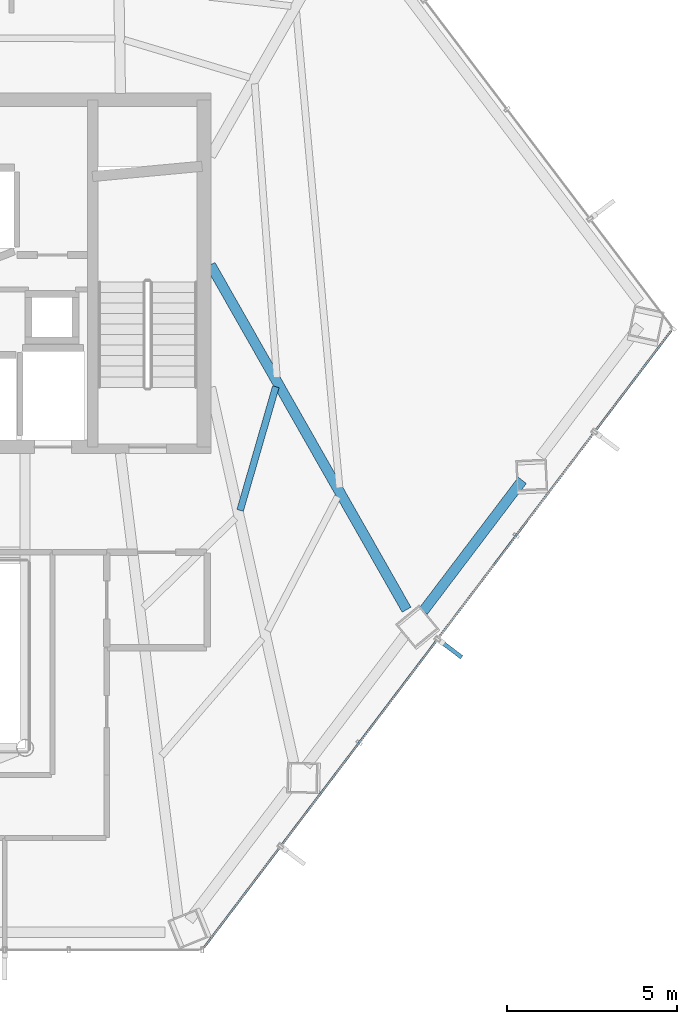
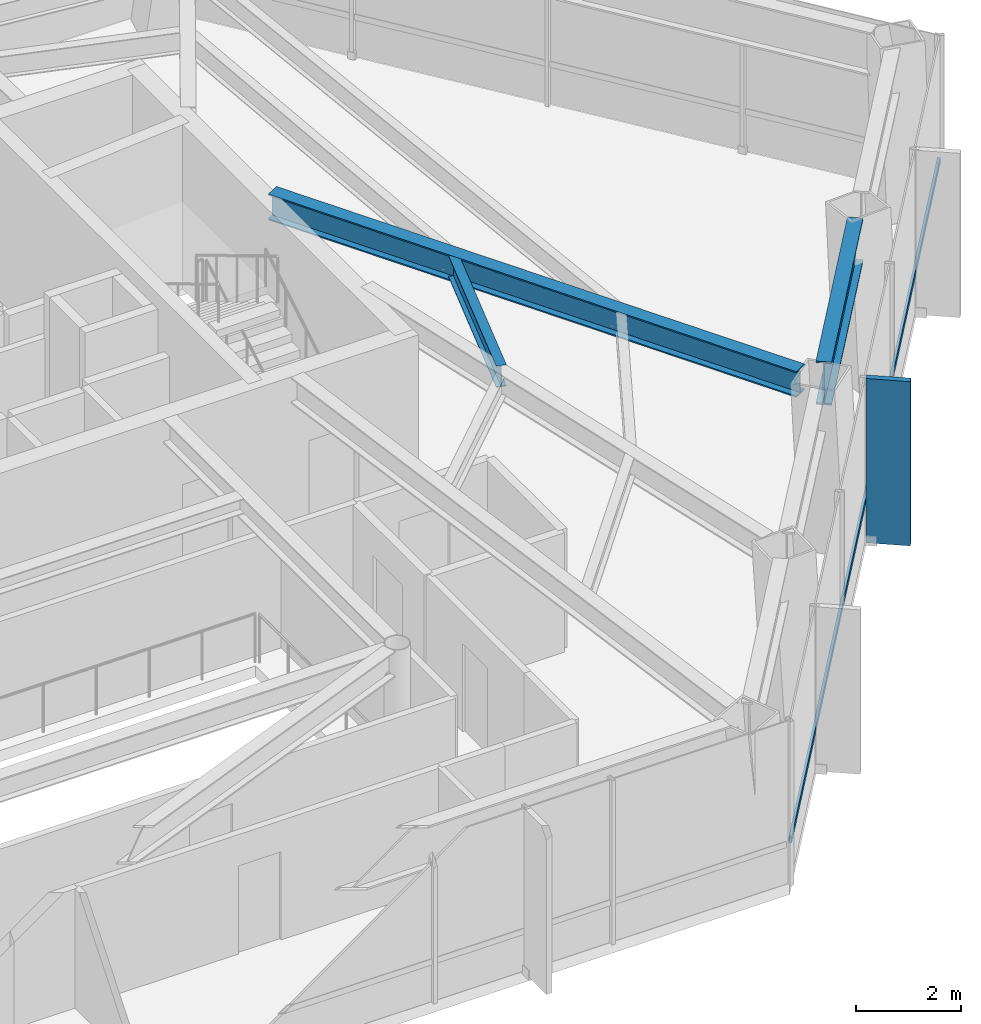
# One storey, part 17 of 26: 3 beams, 2 members, 1 element without a shape of its own.
"""IFC4 building model written with IfcOpenShell, lengths in metres."""

import ifcopenshell
import ifcopenshell.guid

model = None  # the IFC model being written
_history = None  # IfcOwnerHistory: only IFC2X3 demands one
_inside = {}  # id of a spatial element -> (the spatial element, [elements in it])
_under = {}  # id of a project, library or spatial element -> (it, [spatial elements below it])
_declared = {}  # id of a project -> (the project, [libraries it declares])
_typed = {}  # id of a type object -> (the type object, [elements of that type])
_made_of = {}  # id of a material, layer set ... -> (it, [elements and type objects made of it])


def new_model(schema):
    """Start an empty IFC model of exactly this schema.

    Asked for "IFC4X3", IfcOpenShell would pick the latest addendum, in which some entities
    have other attributes; the version numbers below select the first issue.
    IFC2X3 requires an IfcOwnerHistory on every rooted entity: one is made here for all.
    """
    global model, _history
    if schema == "IFC4X3":
        model = ifcopenshell.file(schema_version=(4, 3, 0, 0))
    else:
        model = ifcopenshell.file(schema=schema)
    _inside.clear()
    _under.clear()
    _declared.clear()
    _typed.clear()
    _made_of.clear()
    _history = None
    if model.schema == "IFC2X3":
        org = make("IfcOrganization", Name="unknown")
        user = make(
            "IfcPersonAndOrganization",
            ThePerson=make("IfcPerson", FamilyName="unknown"),
            TheOrganization=org,
        )
        app = make(
            "IfcApplication",
            ApplicationDeveloper=org,
            Version="unknown",
            ApplicationFullName="unknown",
            ApplicationIdentifier="unknown",
        )
        _history = make(
            "IfcOwnerHistory",
            OwningUser=user,
            OwningApplication=app,
            ChangeAction="ADDED",
            CreationDate=0,
        )
    return model


def make(cls, **values):
    """One entity of the class cls with the attributes given. An attribute that is None is left unset."""
    return model.create_entity(
        cls, **{name: value for name, value in values.items() if value is not None}
    )


def rooted(cls, **values):
    """An entity with a GlobalId (a new one), such as an element, a storey or a relation."""
    return make(cls, GlobalId=ifcopenshell.guid.new(), OwnerHistory=_history, **values)


def si_unit(unit_type, name, prefix=None):
    """IfcSIUnit, for example si_unit("LENGTHUNIT", "METRE", prefix="MILLI")."""
    return make("IfcSIUnit", UnitType=unit_type, Prefix=prefix, Name=name)


def assignment(units):
    """IfcUnitAssignment: the units of a project."""
    return None if units is None else make("IfcUnitAssignment", Units=units)


def point(xyz):
    """IfcCartesianPoint."""
    return None if xyz is None else make("IfcCartesianPoint", Coordinates=xyz)


def direction(xyz):
    """IfcDirection."""
    return None if xyz is None else make("IfcDirection", DirectionRatios=xyz)


def frame(location, z_axis=None, x_axis=None):
    """IfcAxis2Placement3D, a coordinate frame: its origin and axes. An axis left out is left unset."""
    return make(
        "IfcAxis2Placement3D",
        Location=point(location),
        Axis=direction(z_axis),
        RefDirection=direction(x_axis),
    )


def frame_2d(location, x_axis=None):
    """IfcAxis2Placement2D, a coordinate frame in the plane: its origin and x axis."""
    return make(
        "IfcAxis2Placement2D", Location=point(location), RefDirection=direction(x_axis)
    )


def origin():
    """The frame at (0, 0, 0) with its axes left unset."""
    return frame((0.0, 0.0, 0.0))


def origin_2d():
    """The frame at (0, 0) in the plane with its x axis left unset."""
    return frame_2d((0.0, 0.0))


def place(relative_to, where):
    """IfcLocalPlacement: puts the frame where relative to a parent placement (None: the world)."""
    return make(
        "IfcLocalPlacement", PlacementRelTo=relative_to, RelativePlacement=where
    )


def context(
    kind, dimensions, precision=None, world=None, true_north=None, identifier=None
):
    """IfcGeometricRepresentationContext, for example the 3D "Model" context."""
    return make(
        "IfcGeometricRepresentationContext",
        ContextIdentifier=identifier,
        ContextType=kind,
        CoordinateSpaceDimension=dimensions,
        Precision=precision,
        WorldCoordinateSystem=world,
        TrueNorth=true_north,
    )


def subcontext(parent, identifier, kind, view, scale=None):
    """IfcGeometricRepresentationSubContext, for example "Body" below "Model"."""
    return make(
        "IfcGeometricRepresentationSubContext",
        ContextIdentifier=identifier,
        ContextType=kind,
        ParentContext=parent,
        TargetScale=scale,
        TargetView=view,
    )


def project(units=None, contexts=None):
    """IfcProject with its units and contexts."""
    return rooted(
        "IfcProject",
        Name="project",
        RepresentationContexts=contexts,
        UnitsInContext=assignment(units),
    )


def spatial(cls, under=None, at=None, **own):
    """A site, building, storey or space (cls), placed at a placement, below another one or the project."""
    s = rooted(cls, ObjectPlacement=at, **own)
    if under is not None:
        _under.setdefault(under.id(), (under, []))[1].append(s)
    return s


def profile(cls, at=None, kind="AREA", **sizes):
    """A parametric profile (cls). Its sizes go by their IFC names, for example OverallWidth=200.0."""
    return make(cls, ProfileType=kind, Position=at, **sizes)


def rectangle(**sizes):
    """IfcRectangleProfileDef."""
    return profile("IfcRectangleProfileDef", **sizes)


def hollow_rectangle(**sizes):
    """IfcRectangleHollowProfileDef."""
    return profile("IfcRectangleHollowProfileDef", **sizes)


def i_section(**sizes):
    """IfcIShapeProfileDef."""
    return profile("IfcIShapeProfileDef", **sizes)


def extrude(swept, where, along, depth):
    """IfcExtrudedAreaSolid: the profile swept, set in the frame where, extruded along a direction by depth."""
    return make(
        "IfcExtrudedAreaSolid",
        SweptArea=swept,
        Position=where,
        ExtrudedDirection=direction(along),
        Depth=depth,
    )


def shape(context_of_items, identifier, shape_type, items):
    """IfcShapeRepresentation: the items that make up one representation, for example the "Body"."""
    return make(
        "IfcShapeRepresentation",
        ContextOfItems=context_of_items,
        RepresentationIdentifier=identifier,
        RepresentationType=shape_type,
        Items=items,
    )


def material(Name=None, Category=None):
    """IfcMaterial."""
    return make("IfcMaterial", Name=Name, Category=Category)


def layer(
    of_material, thickness, ventilated=None, Name=None, Category=None, Priority=None
):
    """IfcMaterialLayer: one layer of a wall or slab, of a material (None: an air gap)."""
    return make(
        "IfcMaterialLayer",
        Material=of_material,
        LayerThickness=thickness,
        IsVentilated=ventilated,
        Name=Name,
        Category=Category,
        Priority=Priority,
    )


def layer_set(layers, Name=None):
    """IfcMaterialLayerSet."""
    return make("IfcMaterialLayerSet", MaterialLayers=layers, LayerSetName=Name)


def material_profile(
    of_material, cross_section, Name=None, Category=None, Priority=None
):
    """IfcMaterialProfile: a cross section and its material."""
    return make(
        "IfcMaterialProfile",
        Name=Name,
        Material=of_material,
        Profile=cross_section,
        Priority=Priority,
        Category=Category,
    )


def profile_set(profiles, Name=None, composite=None):
    """IfcMaterialProfileSet."""
    return make(
        "IfcMaterialProfileSet",
        Name=Name,
        MaterialProfiles=profiles,
        CompositeProfile=composite,
    )


def made_of(thing, what):
    """Note that an element or type object is made of a material, layer set ...; save() writes the relation."""
    if what is not None:
        _made_of.setdefault(what.id(), (what, []))[1].append(thing)
    return thing


def type_object(cls, material=None, **own):
    """A type object (cls), such as IfcWallType, which elements share."""
    return made_of(rooted(cls, **own), material)


def element(
    cls,
    number,
    at=None,
    inside=None,
    cuts=None,
    type_object=None,
    material=None,
    context=None,
    identifier="Body",
    shape_type=None,
    held_by="IfcProductDefinitionShape",
    body=None,
    shapes=None,
    **own,
):
    """One element of the class cls, such as IfcWall. Its Tag is "e" and its number.

    at: its placement. inside: the storey or other place that contains it. cuts: it is an
    opening in that element (IfcRelVoidsElement). A single representation is given by context,
    identifier, shape_type and body (its items); several are given by shapes. held_by: the class
    of the entity that holds the representations. save() writes the other relations.
    """
    e = rooted(cls, Tag="e%d" % number, ObjectPlacement=at, **own)
    if body is not None:
        shapes = [shape(context, identifier, shape_type, body)]
    if shapes is not None:
        e.Representation = make(held_by, Representations=shapes)
    if inside is not None:
        _inside.setdefault(inside.id(), (inside, []))[1].append(e)
    if cuts is not None:
        rooted(
            "IfcRelVoidsElement", RelatingBuildingElement=cuts, RelatedOpeningElement=e
        )
    if type_object is not None:
        _typed.setdefault(type_object.id(), (type_object, []))[1].append(e)
    return made_of(e, material)


def aggregate(whole, parts):
    """IfcRelAggregates: a whole, such as a stair, and the parts it consists of."""
    return rooted("IfcRelAggregates", RelatingObject=whole, RelatedObjects=parts)


def save(model, path):
    """Write the relations noted so far, then the file.

    IfcRelAggregates (storeys below a building ...), IfcRelContainedInSpatialStructure (elements
    in a storey), IfcRelDefinesByType, IfcRelAssociatesMaterial and IfcRelDeclares: one each for
    every whole, place, type object, material and project.
    """
    for whole, parts in _under.values():
        aggregate(whole, parts)
    for where, things in _inside.values():
        rooted(
            "IfcRelContainedInSpatialStructure",
            RelatedElements=things,
            RelatingStructure=where,
        )
    for kind, things in _typed.values():
        rooted("IfcRelDefinesByType", RelatedObjects=things, RelatingType=kind)
    for what, things in _made_of.values():
        rooted("IfcRelAssociatesMaterial", RelatedObjects=things, RelatingMaterial=what)
    for by, libraries in _declared.values():
        rooted("IfcRelDeclares", RelatingContext=by, RelatedDefinitions=libraries)
    model.write(path)


model = new_model("IFC4")

# Units and contexts
model_context = context("Model", 3, precision=1e-05, world=origin(), true_north=direction((0.0, 1.0)))
body_context = subcontext(model_context, "Body", "Model", "MODEL_VIEW")
ifc_project = project(units=[si_unit("LENGTHUNIT", "METRE"), si_unit("AREAUNIT", "SQUARE_METRE"), si_unit("VOLUMEUNIT", "CUBIC_METRE"), si_unit("PLANEANGLEUNIT", "RADIAN"), si_unit("MASSUNIT", "GRAM", prefix="KILO")], contexts=[model_context])

# Site, building, storey
site_placement = place(None, origin())
site = spatial("IfcSite", under=ifc_project, at=site_placement, CompositionType="ELEMENT")
building_placement = place(site_placement, origin())
building = spatial("IfcBuilding", under=site, at=building_placement, Name="Zarrinselat Tower", CompositionType="ELEMENT")
storey_placement = place(building_placement, frame((0.0, 0.0, 92.820068359375)))
storey = spatial("IfcBuildingStorey", under=building, at=storey_placement, Name="L22", CompositionType="ELEMENT", Elevation=92.820068359375)

# Beams
ifc_material_1 = material(Name="Steel S355J2", Category="steel")
ifc_material_profile_1 = material_profile(ifc_material_1, i_section(OverallWidth=0.300048828125, OverallDepth=0.60009765625, WebThickness=0.015380859375, FlangeThickness=0.030029296875, at=origin_2d()), Name="HEB 600")
ifc_profile_set_1 = profile_set([ifc_material_profile_1], Name="Steel S355J2")
beam_type_1 = type_object("IfcBeamType", Name="BM-HEB600", PredefinedType="BEAM", material=ifc_profile_set_1)
beam_1_placement = place(storey_placement, frame((48.449951171875, 38.60009765625, 3.52001953125), z_axis=(0.494316490871, -0.869282006516, 0.0), x_axis=(0.869282006516, 0.494316490871, 0.0)))
element("IfcBeam", 1, at=beam_1_placement, inside=storey, type_object=beam_type_1, Name="L22 Radial Primary Girder RG13", PredefinedType="BEAM", context=body_context, shape_type="SweptSolid", body=[
    extrude(i_section(OverallWidth=0.300048828125, OverallDepth=0.60009765625, WebThickness=0.015380859375, FlangeThickness=0.030029296875, at=origin_2d()), origin(), (0.0, 0.0, 1.0), 11.663818359375),
])
ifc_material_2 = material(Name="Steel S460M", Category="steel")
ifc_material_profile_2 = material_profile(ifc_material_2, i_section(OverallWidth=0.302001953125, OverallDepth=1.008056640625, WebThickness=0.02099609375, FlangeThickness=0.0400390625, at=origin_2d()), Name="HEM 1000")
ifc_profile_set_2 = profile_set([ifc_material_profile_2], Name="Steel S460M")
beam_type_2 = type_object("IfcBeamType", Name="BM-HEM1000", PredefinedType="BEAM", material=ifc_profile_set_2)
beam_2_placement = place(storey_placement, frame((54.70361328125, 28.4169921875, 3.31591796875), z_axis=(0.60382847745, 0.797114276513, 0.0), x_axis=(-0.797114276513, 0.60382847745, 0.0)))
element("IfcBeam", 2, at=beam_2_placement, inside=storey, type_object=beam_type_2, Name="L22 Perimeter Spandrel Girder SP13", PredefinedType="BEAM", context=body_context, shape_type="SweptSolid", body=[
    extrude(i_section(OverallWidth=0.302001953125, OverallDepth=1.008056640625, WebThickness=0.02099609375, FlangeThickness=0.0400390625, at=origin_2d()), origin(), (0.0, 0.0, 1.0), 4.82763671875),
])
ifc_material_3 = material(Name="Steel S355J2", Category="steel")
ifc_material_profile_3 = material_profile(ifc_material_3, i_section(OverallWidth=0.199951171875, OverallDepth=0.5, WebThickness=0.01025390625, FlangeThickness=0.01611328125, at=origin_2d()), Name="IPE 500")
ifc_profile_set_3 = profile_set([ifc_material_profile_3], Name="Steel S355J2")
beam_type_3 = type_object("IfcBeamType", Name="BM-IPE500", PredefinedType="JOIST", material=ifc_profile_set_3)
beam_3_placement = place(storey_placement, frame((49.32080078125, 31.382080078125, 3.56982421875), z_axis=(0.277556851644, 0.960709214125, 0.0), x_axis=(-0.960709214125, 0.277556851644, 0.0)))
element("IfcBeam", 3, at=beam_3_placement, inside=storey, type_object=beam_type_3, Name="L22 Composite Floor Joist 4-2", PredefinedType="JOIST", context=body_context, shape_type="SweptSolid", body=[
    extrude(i_section(OverallWidth=0.199951171875, OverallDepth=0.5, WebThickness=0.01025390625, FlangeThickness=0.01611328125, at=origin_2d()), origin(), (0.0, 0.0, 1.0), 3.784912109375),
])

# Curtain wall, members
ifc_material_4 = material(Name="Extruded Aluminium Alloy EN AW-6063 T6", Category="aluminium")
ifc_layer = layer(ifc_material_4, 0.18505859375)
ifc_layer_set = layer_set([ifc_layer], Name="Extruded Aluminium Alloy EN AW-6063 T6")
curtain_wall_type = type_object("IfcCurtainWallType", Name="CWS-OFF", PredefinedType="NOTDEFINED", material=ifc_layer_set)
curtain_wall_placement = place(storey_placement, origin())
curtain_wall = element("IfcCurtainWall", 4, at=curtain_wall_placement, inside=storey, type_object=curtain_wall_type, Name="L22 Unitised Curtain Wall CW-L22-E05", PredefinedType="NOTDEFINED")
ifc_material_5 = material(Name="Extruded Aluminium Alloy EN AW-6063 T6", Category="aluminium")
ifc_material_profile_4 = material_profile(ifc_material_5, hollow_rectangle(XDim=0.06005859375, YDim=0.139892578125, WallThickness=0.00390625, at=origin_2d()), Name="RHS 140x60x4")
ifc_profile_set_4 = profile_set([ifc_material_profile_4], Name="Extruded Aluminium Alloy EN AW-6063 T6")
member_type_1 = type_object("IfcMemberType", Name="MEM-CW-TRN", PredefinedType="USERDEFINED", material=ifc_profile_set_4)
member_1_placement = place(storey_placement, frame((48.260009765625, 18.53173828125, 0.949951171875), z_axis=(0.603858514557, 0.79709152197, 0.0), x_axis=(-0.79709152197, 0.603858514557, 0.0)))
member_1 = element("IfcMember", 5, at=member_1_placement, type_object=member_type_1, Name="CW-L22-E05 Transom 1", ObjectType="TRANSOM", PredefinedType="USERDEFINED", context=body_context, shape_type="SweptSolid", body=[
    extrude(hollow_rectangle(XDim=0.06005859375, YDim=0.139892578125, WallThickness=0.00390625, at=origin_2d()), origin(), (0.0, 0.0, 1.0), 22.7470703125),
])
ifc_material_6 = material(Name="Honed Cream Travertine Stone", Category="masonry")
ifc_material_profile_5 = material_profile(ifc_material_6, rectangle(XDim=0.1201171875, YDim=0.85009765625, at=origin_2d()), Name="FIN 850x120")
ifc_profile_set_5 = profile_set([ifc_material_profile_5], Name="Honed Cream Travertine Stone")
member_type_2 = type_object("IfcMemberType", Name="MEM-STONE-FIN", PredefinedType="USERDEFINED", material=ifc_profile_set_5)
member_2_placement = place(storey_placement, frame((55.49462890625, 27.31982421875, 0.0), z_axis=(0.0, 0.0, 1.0), x_axis=(-0.603855672579, -0.797093674981, 0.0)))
member_2 = element("IfcMember", 6, at=member_2_placement, type_object=member_type_2, Name="L22 Stone Shading Fin CW-L22-E05-03", ObjectType="FIN", PredefinedType="USERDEFINED", context=body_context, shape_type="SweptSolid", body=[
    extrude(rectangle(XDim=0.1201171875, YDim=0.85009765625, at=origin_2d()), origin(), (0.0, 0.0, 1.0), 3.81982421875),
])
aggregate(curtain_wall, [member_2, member_1])

save(model, "model.ifc")
